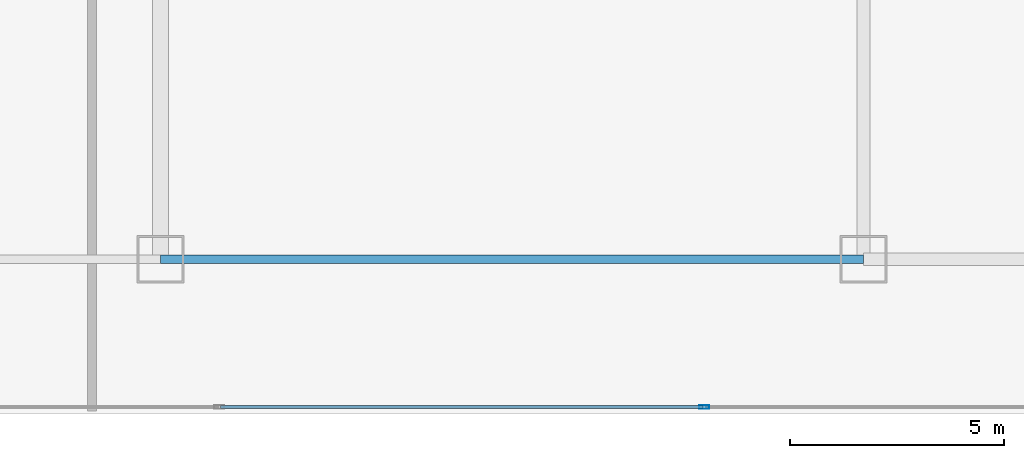
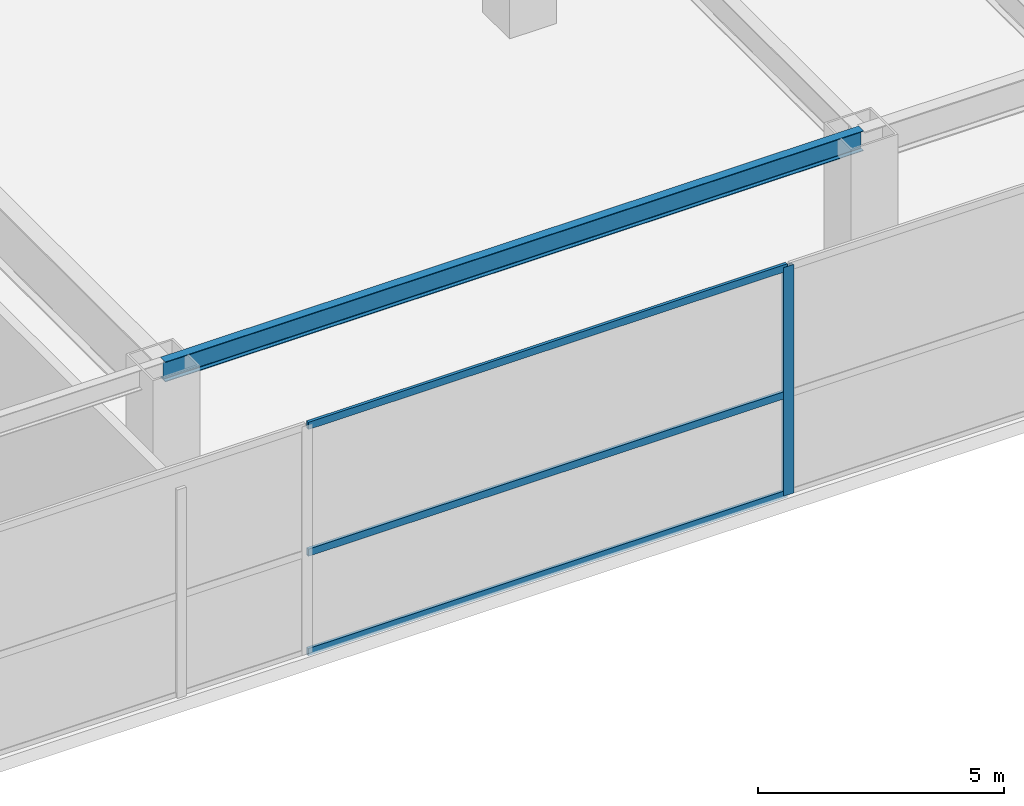
# One storey, part 21 of 35: 4 members, 1 beam, 1 element without a shape of its own.
"""IFC4 building model written with IfcOpenShell, lengths in metres."""

from ifc_helpers import new_model, si_unit, direction, frame, origin, origin_2d, place, context, subcontext, project, spatial, hollow_rectangle, i_section, extrude, material, layer, layer_set, material_profile, profile_set, type_object, element, aggregate, save


model = new_model("IFC4")

# Units and contexts
model_context = context("Model", 3, precision=1e-05, world=origin(), true_north=direction((0.0, 1.0)))
body_context = subcontext(model_context, "Body", "Model", "MODEL_VIEW")
ifc_project = project(units=[si_unit("LENGTHUNIT", "METRE"), si_unit("AREAUNIT", "SQUARE_METRE"), si_unit("VOLUMEUNIT", "CUBIC_METRE"), si_unit("PLANEANGLEUNIT", "RADIAN"), si_unit("MASSUNIT", "GRAM", prefix="KILO")], contexts=[model_context])

# Site, building, storey
site_placement = place(None, origin())
site = spatial("IfcSite", under=ifc_project, at=site_placement, CompositionType="ELEMENT")
building_placement = place(site_placement, origin())
building = spatial("IfcBuilding", under=site, at=building_placement, Name="Calvorn Quay Hotel", CompositionType="ELEMENT")
storey_placement = place(building_placement, frame((0.0, 0.0, 6.0)))
storey = spatial("IfcBuildingStorey", under=building, at=storey_placement, Name="L01", CompositionType="ELEMENT", Elevation=6.0)

# Beam
ifc_material_1 = material(Name="Steel Q355B", Category="steel")
ifc_material_profile_1 = material_profile(ifc_material_1, i_section(OverallWidth=0.199951171875, OverallDepth=0.5, WebThickness=0.010009765625, FlangeThickness=0.01611328125, FilletRadius=0.01611328125, at=origin_2d()), Name="HN500x200x10x16")
ifc_profile_set_1 = profile_set([ifc_material_profile_1], Name="Steel Q355B")
beam_type = type_object("IfcBeamType", Name="BM-SPANDREL-Z1", PredefinedType="SPANDREL", material=ifc_profile_set_1)
beam_placement = place(storey_placement, frame((57.60009765625, 3.60009765625, 5.429931640625), z_axis=(1.0, 0.0, 0.0), x_axis=(0.0, 1.0, 0.0)))
element("IfcBeam", 1, at=beam_placement, inside=storey, type_object=beam_type, Name="Beam BSP-L01-S6", PredefinedType="SPANDREL", context=body_context, shape_type="SweptSolid", body=[
    extrude(i_section(OverallWidth=0.199951171875, OverallDepth=0.5, WebThickness=0.010009765625, FlangeThickness=0.01611328125, FilletRadius=0.01611328125, at=origin_2d()), origin(), (0.0, 0.0, 1.0), 16.39990234375),
])

# Curtain wall, members
ifc_material_2 = material(Name="Pale Anodised Aluminium and Low-E Glass", Category="aluminium")
ifc_layer = layer(ifc_material_2, 0.219970703125)
ifc_layer_set = layer_set([ifc_layer], Name="CW-SYS-POD")
curtain_wall_type = type_object("IfcCurtainWallType", Name="CW-SYS-POD", PredefinedType="NOTDEFINED", material=ifc_layer_set)
curtain_wall_placement = place(storey_placement, origin())
curtain_wall = element("IfcCurtainWall", 2, at=curtain_wall_placement, inside=storey, type_object=curtain_wall_type, Name="Podium Curtain Wall L01-S1", PredefinedType="NOTDEFINED")
ifc_material_3 = material(Name="Pale Anodised Aluminium 6063-T6", Category="aluminium")
ifc_material_profile_2 = material_profile(ifc_material_3, hollow_rectangle(XDim=0.080078125, YDim=0.239990234375, WallThickness=0.0048828125, at=origin_2d()), Name="ALU-M240x80x5")
ifc_profile_set_2 = profile_set([ifc_material_profile_2], Name="Pale Anodised Aluminium 6063-T6")
member_type_1 = type_object("IfcMemberType", Name="CW-SYS-POD-MUL", PredefinedType="MULLION", material=ifc_profile_set_2)
member_1_placement = place(storey_placement, frame((70.28564453125, 0.14990234375, 0.0), z_axis=(0.0, 0.0, 1.0), x_axis=(0.0, 1.0, 0.0)))
member_1 = element("IfcMember", 3, at=member_1_placement, type_object=member_type_1, Name="CW-L01-S1 mullion 7", PredefinedType="MULLION", context=body_context, shape_type="SweptSolid", body=[
    extrude(hollow_rectangle(XDim=0.080078125, YDim=0.239990234375, WallThickness=0.0048828125, at=origin_2d()), origin(), (0.0, 0.0, 1.0), 5.679931640625),
])
ifc_material_4 = material(Name="Pale Anodised Aluminium 6063-T6", Category="aluminium")
ifc_material_profile_3 = material_profile(ifc_material_4, hollow_rectangle(XDim=0.070068359375, YDim=0.179931640625, WallThickness=0.00390625, at=origin_2d()), Name="ALU-T180x70x4")
ifc_profile_set_3 = profile_set([ifc_material_profile_3], Name="Pale Anodised Aluminium 6063-T6")
member_type_2 = type_object("IfcMemberType", Name="CW-SYS-POD-TRN", PredefinedType="USERDEFINED", material=ifc_profile_set_3)
member_2_placement = place(storey_placement, frame((59.00146484375, 0.14990234375, 0.030029296875), z_axis=(1.0, 0.0, 0.0), x_axis=(0.0, 1.0, 0.0)))
member_2 = element("IfcMember", 4, at=member_2_placement, type_object=member_type_2, Name="CW-L01-S1 transom 6.1", ObjectType="TRANSOM", PredefinedType="USERDEFINED", context=body_context, shape_type="SweptSolid", body=[
    extrude(hollow_rectangle(XDim=0.070068359375, YDim=0.179931640625, WallThickness=0.00390625, at=origin_2d()), origin(), (0.0, 0.0, 1.0), 11.254150390625),
])
member_3_placement = place(storey_placement, frame((59.00146484375, 0.14990234375, 2.5), z_axis=(1.0, 0.0, 0.0), x_axis=(0.0, 1.0, 0.0)))
member_3 = element("IfcMember", 5, at=member_3_placement, type_object=member_type_2, Name="CW-L01-S1 transom 6.2", ObjectType="TRANSOM", PredefinedType="USERDEFINED", context=body_context, shape_type="SweptSolid", body=[
    extrude(hollow_rectangle(XDim=0.070068359375, YDim=0.179931640625, WallThickness=0.00390625, at=origin_2d()), origin(), (0.0, 0.0, 1.0), 11.254150390625),
])
member_4_placement = place(storey_placement, frame((59.00146484375, 0.14990234375, 5.64990234375), z_axis=(1.0, 0.0, 0.0), x_axis=(0.0, 1.0, 0.0)))
member_4 = element("IfcMember", 6, at=member_4_placement, type_object=member_type_2, Name="CW-L01-S1 transom 6.3", ObjectType="TRANSOM", PredefinedType="USERDEFINED", context=body_context, shape_type="SweptSolid", body=[
    extrude(hollow_rectangle(XDim=0.070068359375, YDim=0.179931640625, WallThickness=0.00390625, at=origin_2d()), origin(), (0.0, 0.0, 1.0), 11.254150390625),
])
aggregate(curtain_wall, [member_1, member_2, member_3, member_4])

save(model, "model.ifc")
